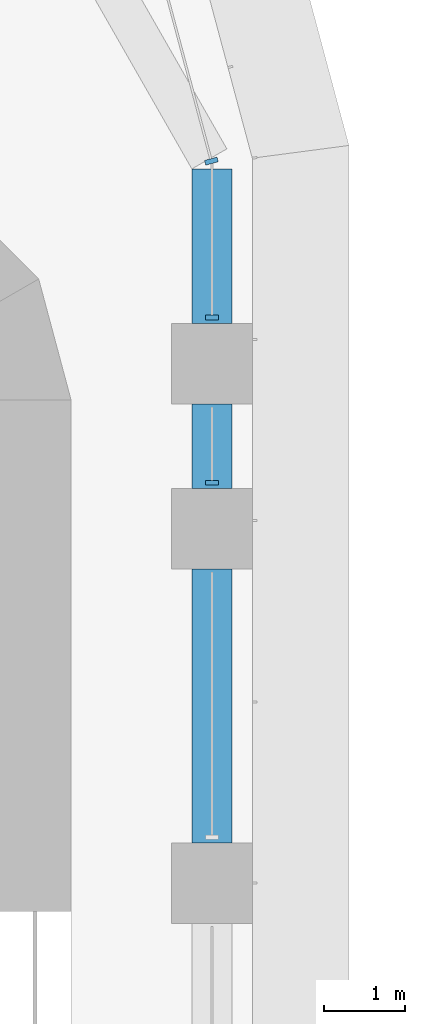
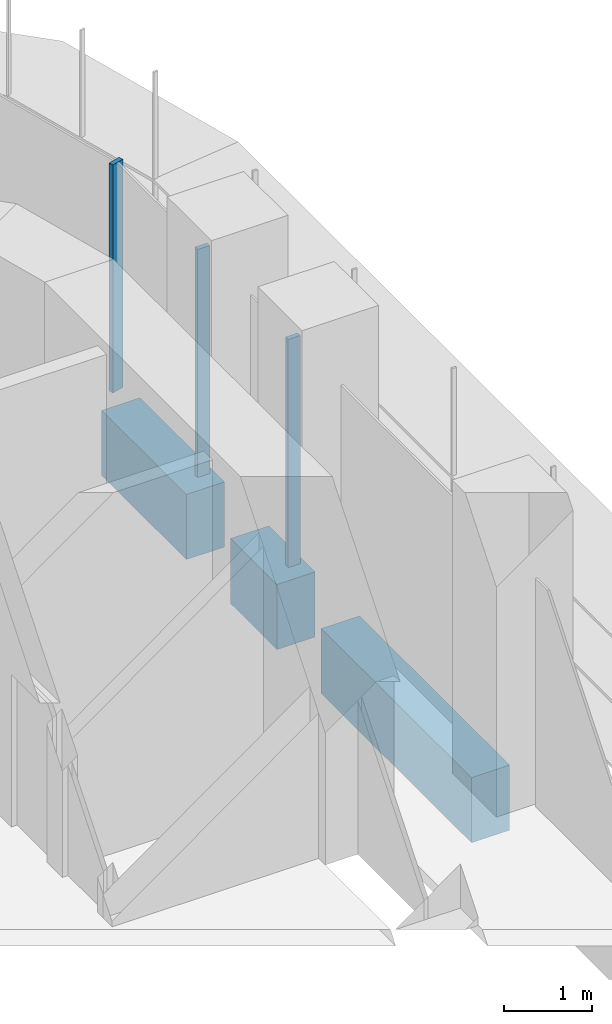
# One storey, part 10 of 23: 3 beams, 3 members, 2 elements without a shape of their own.
"""IFC4 building model written with IfcOpenShell, lengths in metres."""

from ifc_helpers import new_model, si_unit, direction, frame, origin, origin_2d, place, context, subcontext, project, spatial, polyline, rectangle, outline, extrude, source, transform, mapped, material, material_profile, profile_set, type_object, element, aggregate, save


model = new_model("IFC4")

# Units and contexts
model_context = context("Model", 3, precision=1e-05, world=origin(), true_north=direction((0.0, 1.0)))
body_context = subcontext(model_context, "Body", "Model", "MODEL_VIEW")
ifc_project = project(units=[si_unit("LENGTHUNIT", "METRE"), si_unit("AREAUNIT", "SQUARE_METRE"), si_unit("VOLUMEUNIT", "CUBIC_METRE"), si_unit("PLANEANGLEUNIT", "RADIAN"), si_unit("MASSUNIT", "GRAM", prefix="KILO")], contexts=[model_context])

# Site, building, storey
site_placement = place(None, origin())
site = spatial("IfcSite", under=ifc_project, at=site_placement, CompositionType="ELEMENT")
building_placement = place(site_placement, origin())
building = spatial("IfcBuilding", under=site, at=building_placement, Name="Zarbagh Exchange Tower", CompositionType="ELEMENT")
storey_placement = place(building_placement, frame((0.0, 0.0, 73.199951171875)))
storey = spatial("IfcBuildingStorey", under=building, at=storey_placement, Name="L16", CompositionType="ELEMENT", Elevation=73.199951171875)

# Beams
ifc_material_1 = material(Name="Concrete C60/75", Category="concrete")
ifc_material_profile = material_profile(ifc_material_1, rectangle(XDim=0.5, YDim=0.89990234375, at=origin_2d()), Name="RC spandrel beam 500 x 900 C60/75")
ifc_profile_set = profile_set([ifc_material_profile], Name="Concrete C60/75")
beam_type = type_object("IfcBeamType", Name="RC spandrel beam 500 x 900 C60/75", PredefinedType="SPANDREL", material=ifc_profile_set)
beam_1_placement = place(storey_placement, frame((6.25, 29.117919921875, -0.599853515625), z_axis=(0.0, -1.0, 0.0), x_axis=(1.0, 0.0, 0.0)))
element("IfcBeam", 1, at=beam_1_placement, inside=storey, type_object=beam_type, Name="RC spandrel beam", PredefinedType="SPANDREL", context=body_context, shape_type="SweptSolid", body=[
    extrude(rectangle(XDim=0.5, YDim=0.89990234375, at=origin_2d()), origin(), (0.0, 0.0, 1.0), 1.91796875),
])
beam_2_placement = place(storey_placement, frame((6.25, 26.199951171875, -0.599853515625), z_axis=(0.0, -1.0, 0.0), x_axis=(1.0, 0.0, 0.0)))
element("IfcBeam", 2, at=beam_2_placement, inside=storey, type_object=beam_type, Name="RC spandrel beam", PredefinedType="SPANDREL", context=body_context, shape_type="SweptSolid", body=[
    extrude(rectangle(XDim=0.5, YDim=0.89990234375, at=origin_2d()), origin(), (0.0, 0.0, 1.0), 1.050048828125),
])
beam_3_placement = place(storey_placement, frame((6.25, 24.14990234375, -0.599853515625), z_axis=(0.0, -1.0, 0.0), x_axis=(1.0, 0.0, 0.0)))
element("IfcBeam", 3, at=beam_3_placement, inside=storey, type_object=beam_type, Name="RC spandrel beam", PredefinedType="SPANDREL", context=body_context, shape_type="SweptSolid", body=[
    extrude(rectangle(XDim=0.5, YDim=0.89990234375, at=origin_2d()), origin(), (0.0, 0.0, 1.0), 3.39990234375),
])

# Curtain wall, members
ifc_material_2 = material(Name="Anodised aluminium frame and glazing", Category="aluminium")
curtain_wall_type = type_object("IfcCurtainWallType", Name="CWA Ribbon glazing, lower zones", PredefinedType="NOTDEFINED", material=ifc_material_2)
curtain_wall_1_placement = place(storey_placement, origin())
curtain_wall_1 = element("IfcCurtainWall", 4, at=curtain_wall_1_placement, inside=storey, type_object=curtain_wall_type, Name="CWA20 curtain wall", PredefinedType="NOTDEFINED")
ifc_material_3 = material(Name="Anodised aluminium frame", Category="aluminium")
member_type = type_object("IfcMemberType", Name="MUA Mullion, anodised aluminium frame", PredefinedType="MULLION", material=ifc_material_3)
shared_shape = source(origin(), body_context, "Body", "SweptSolid", [
    extrude(outline(polyline([(0.0, -0.080078125), (0.06005859375, -0.080078125), (0.06005859375, 0.080078125), (0.0, 0.080078125), (0.0, -0.080078125)])), origin(), (0.0, 0.0, 1.0), 3.14990234375),
])
placement = place(storey_placement, origin())
member_1 = element("IfcMember", 5, at=placement, type_object=member_type, Name="CWA20 mullion 4.1", PredefinedType="MULLION", context=body_context, shape_type="MappedRepresentation", body=[
    mapped(shared_shape, transform((6.25, 25.18994140625, 0.0), x_axis=(0.0, 1.0, 0.0), y_axis=(-1.0, 0.0, 0.0), z_axis=(0.0, 0.0, 1.0))),
])
member_2 = element("IfcMember", 6, at=placement, type_object=member_type, Name="CWA20 mullion 5.1", PredefinedType="MULLION", context=body_context, shape_type="MappedRepresentation", body=[
    mapped(shared_shape, transform((6.25, 27.239990234375, 0.0), x_axis=(0.0, 1.0, 0.0), y_axis=(-1.0, 0.0, 0.0), z_axis=(0.0, 0.0, 1.0))),
])
aggregate(curtain_wall_1, [member_1, member_2])

# Curtain wall, member
curtain_wall_2_placement = place(storey_placement, origin())
curtain_wall_2 = element("IfcCurtainWall", 7, at=curtain_wall_2_placement, inside=storey, type_object=curtain_wall_type, Name="CWA21 curtain wall", PredefinedType="NOTDEFINED")
member_3 = element("IfcMember", 8, at=placement, type_object=member_type, Name="CWA21 mullion 1.1", PredefinedType="MULLION", context=body_context, shape_type="MappedRepresentation", body=[
    mapped(shared_shape, transform((6.25, 29.18408203125, 0.0), x_axis=(-0.258824779902, 0.965924289636, 0.0), y_axis=(-0.965924289636, -0.258824779902, 0.0), z_axis=(0.0, 0.0, 1.0))),
])
aggregate(curtain_wall_2, [member_3])

save(model, "model.ifc")
